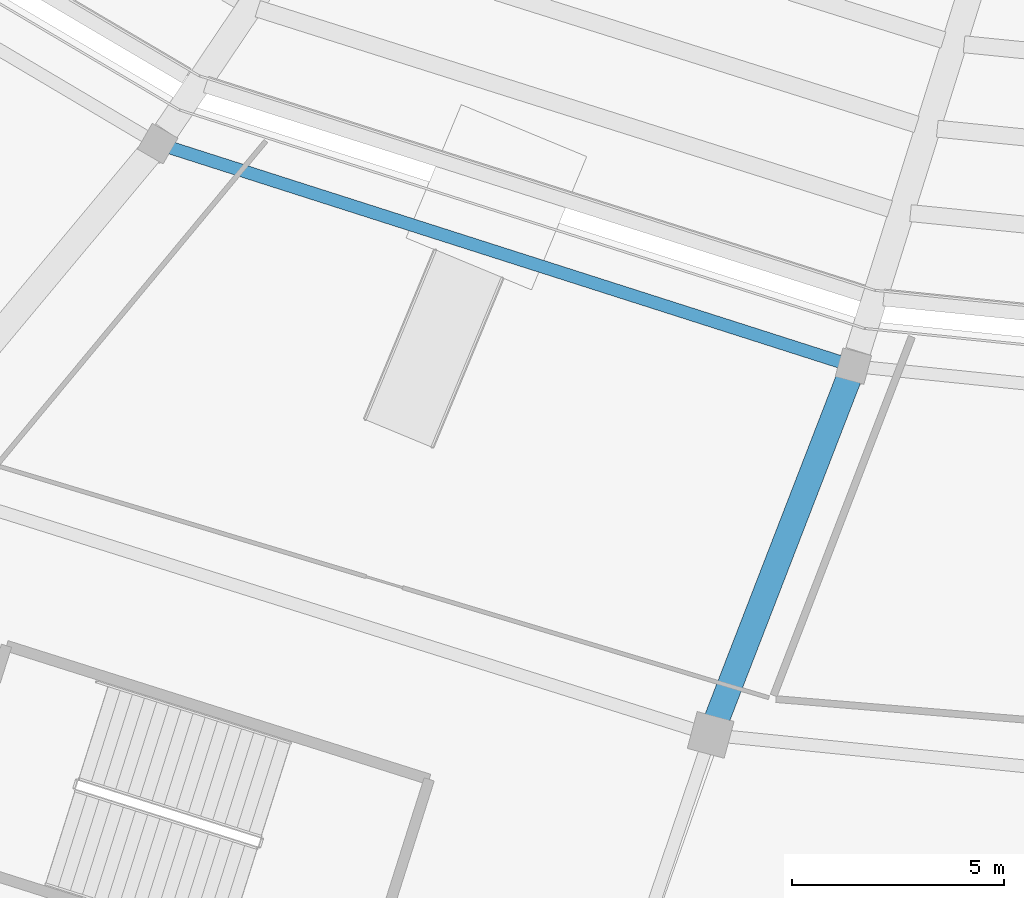
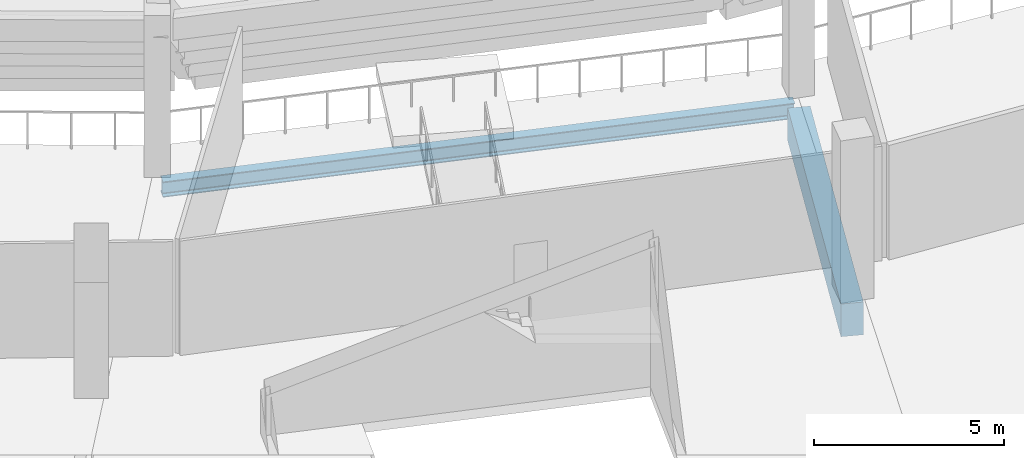
# One storey, part 35 of 178: 2 beams.
"""IFC4 building model written with IfcOpenShell, lengths in metres."""

from ifc_helpers import new_model, si_unit, direction, frame, origin, origin_2d, place, context, subcontext, project, spatial, rectangle, i_section, extrude, material, material_profile, profile_set, type_object, element, save


model = new_model("IFC4")

# Units and contexts
model_context = context("Model", 3, precision=1e-05, world=origin(), true_north=direction((0.0, 1.0)))
body_context = subcontext(model_context, "Body", "Model", "MODEL_VIEW")
ifc_project = project(units=[si_unit("LENGTHUNIT", "METRE"), si_unit("AREAUNIT", "SQUARE_METRE"), si_unit("VOLUMEUNIT", "CUBIC_METRE"), si_unit("PLANEANGLEUNIT", "RADIAN"), si_unit("MASSUNIT", "GRAM", prefix="KILO")], contexts=[model_context])

# Site, building, storey
site_placement = place(None, origin())
site = spatial("IfcSite", under=ifc_project, at=site_placement, CompositionType="ELEMENT")
building_placement = place(site_placement, origin())
building = spatial("IfcBuilding", under=site, at=building_placement, Name="Zlatoyarsky Gate Stadium", CompositionType="ELEMENT")
storey_placement = place(building_placement, frame((0.0, 0.0, 5.39990234375)))
storey = spatial("IfcBuildingStorey", under=building, at=storey_placement, Name="L01", CompositionType="ELEMENT", Elevation=5.39990234375)

# Beams
ifc_material_1 = material(Name="Concrete C40/50", Category="concrete")
ifc_material_profile_1 = material_profile(ifc_material_1, rectangle(XDim=0.60009765625, YDim=1.050048828125, at=origin_2d()), Name="RC GIRDER 600X1050")
ifc_profile_set_1 = profile_set([ifc_material_profile_1], Name="Concrete C40/50")
beam_type_1 = type_object("IfcBeamType", Name="CONCRETE PRIMARY GIRDER 600X1050", PredefinedType="T_BEAM", material=ifc_profile_set_1)
beam_1_placement = place(storey_placement, frame((93.35693359375, 29.177001953125, -0.98486328125), z_axis=(-0.36092924223, -0.932593202904, 0.0), x_axis=(0.932593202904, -0.36092924223, 0.0)))
element("IfcBeam", 1, at=beam_1_placement, inside=storey, type_object=beam_type_1, Name="Beam G-RC105 BM-L01-RAB-17", PredefinedType="T_BEAM", context=body_context, shape_type="SweptSolid", body=[
    extrude(rectangle(XDim=0.60009765625, YDim=1.050048828125, at=origin_2d()), origin(), (0.0, 0.0, 1.0), 9.08154296875),
])
ifc_material_2 = material(Name="Steel S355", Category="steel")
ifc_material_profile_2 = material_profile(ifc_material_2, i_section(OverallWidth=0.300048828125, OverallDepth=0.5, WebThickness=0.014404296875, FlangeThickness=0.028076171875, FilletRadius=0.027099609375, at=origin_2d()), Name="HEB 500")
ifc_profile_set_2 = profile_set([ifc_material_profile_2], Name="Steel S355")
beam_type_2 = type_object("IfcBeamType", Name="STEEL PRIMARY GIRDER HEB 500", PredefinedType="BEAM", material=ifc_profile_set_2)
beam_2_placement = place(storey_placement, frame((77.1142578125, 34.4970703125, -0.5498046875), z_axis=(0.952480396568, -0.304599891914, 0.0), x_axis=(0.304599891914, 0.952480396568, 0.0)))
element("IfcBeam", 2, at=beam_2_placement, inside=storey, type_object=beam_type_2, Name="Beam G-HEB500 BM-L01-CRA-16", PredefinedType="BEAM", context=body_context, shape_type="SweptSolid", body=[
    extrude(i_section(OverallWidth=0.300048828125, OverallDepth=0.5, WebThickness=0.014404296875, FlangeThickness=0.028076171875, FilletRadius=0.027099609375, at=origin_2d()), origin(), (0.0, 0.0, 1.0), 16.978515625),
])

save(model, "model.ifc")
